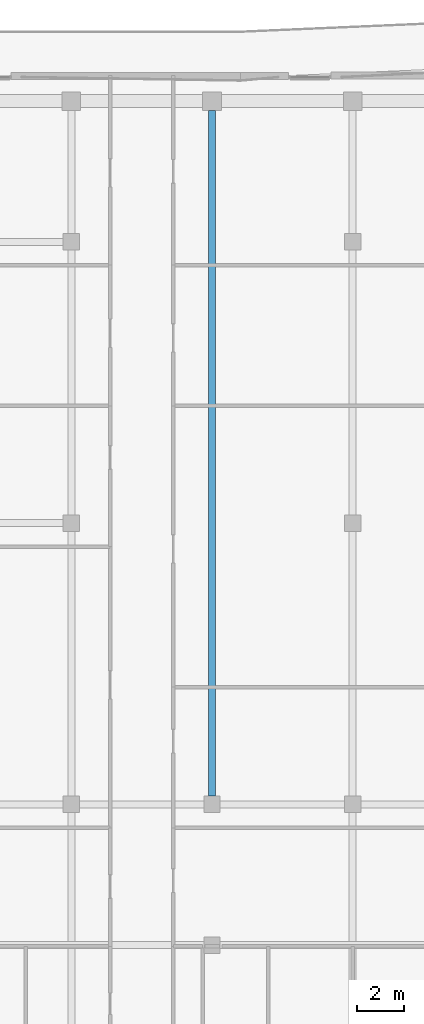
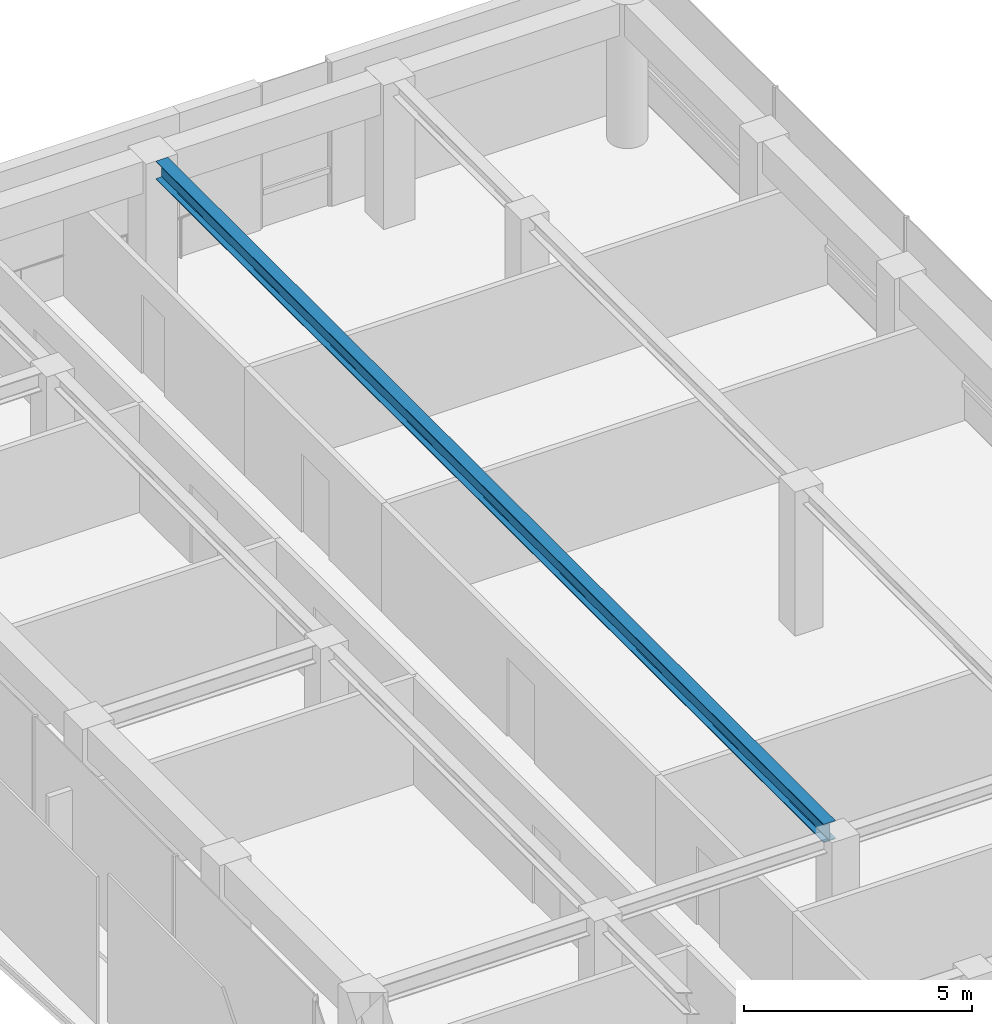
# One storey, part 12 of 21: 1 beam.
"""IFC4 building model written with IfcOpenShell, lengths in metres."""

from ifc_helpers import new_model, si_unit, direction, frame, origin, origin_2d, place, context, subcontext, project, spatial, i_section, extrude, material, material_profile, profile_set, type_object, element, save


model = new_model("IFC4")

# Units and contexts
model_context = context("Model", 3, precision=1e-05, world=origin(), true_north=direction((0.0, 1.0)))
body_context = subcontext(model_context, "Body", "Model", "MODEL_VIEW")
ifc_project = project(units=[si_unit("LENGTHUNIT", "METRE"), si_unit("AREAUNIT", "SQUARE_METRE"), si_unit("VOLUMEUNIT", "CUBIC_METRE"), si_unit("PLANEANGLEUNIT", "RADIAN"), si_unit("MASSUNIT", "GRAM", prefix="KILO")], contexts=[model_context])

# Site, building, storey
site_placement = place(None, origin())
site = spatial("IfcSite", under=ifc_project, at=site_placement, CompositionType="ELEMENT")
building_placement = place(site_placement, origin())
building = spatial("IfcBuilding", under=site, at=building_placement, Name="Welwitschia Terrace Campus", CompositionType="ELEMENT")
storey_placement = place(building_placement, frame((0.0, 0.0, 218.0)))
storey = spatial("IfcBuildingStorey", under=building, at=storey_placement, Name="L48", CompositionType="ELEMENT", Elevation=218.0)

# Beam
ifc_material = material(Name="Steel S355", Category="steel")
ifc_material_profile = material_profile(ifc_material, i_section(OverallWidth=0.300048828125, OverallDepth=0.489990234375, WebThickness=0.011962890625, FlangeThickness=0.02294921875, FilletRadius=0.027099609375, at=origin_2d()))
ifc_profile_set = profile_set([ifc_material_profile], Name="Steel S355")
beam_type = type_object("IfcBeamType", Name="Primary beam HE 500 A", PredefinedType="BEAM", material=ifc_profile_set)
beam_placement = place(storey_placement, frame((12.0, 69.599609375, 3.60498046875), z_axis=(0.0, -1.0, 0.0), x_axis=(1.0, 0.0, 0.0)))
element("IfcBeam", 1, at=beam_placement, inside=storey, type_object=beam_type, Name="Primary beam PB5", PredefinedType="BEAM", context=body_context, shape_type="SweptSolid", body=[
    extrude(i_section(OverallWidth=0.300048828125, OverallDepth=0.489990234375, WebThickness=0.011962890625, FlangeThickness=0.02294921875, FilletRadius=0.027099609375, at=origin_2d()), origin(), (0.0, 0.0, 1.0), 29.2490234375),
])

save(model, "model.ifc")
